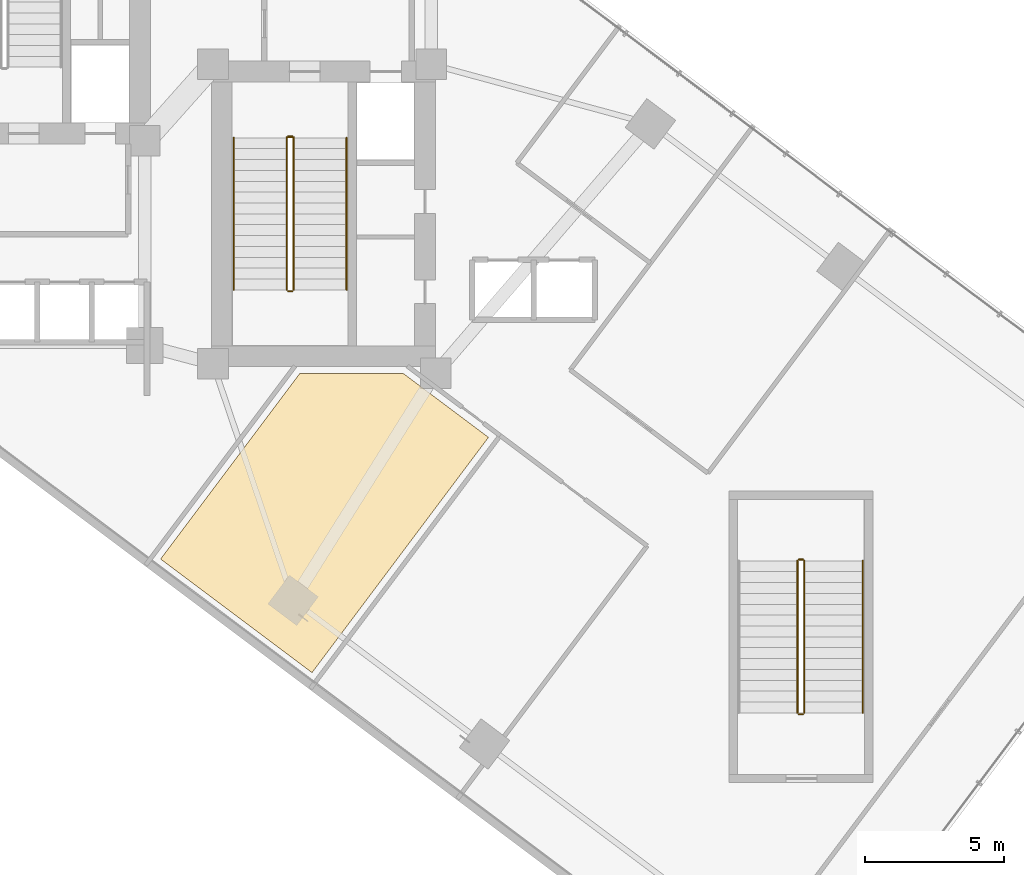
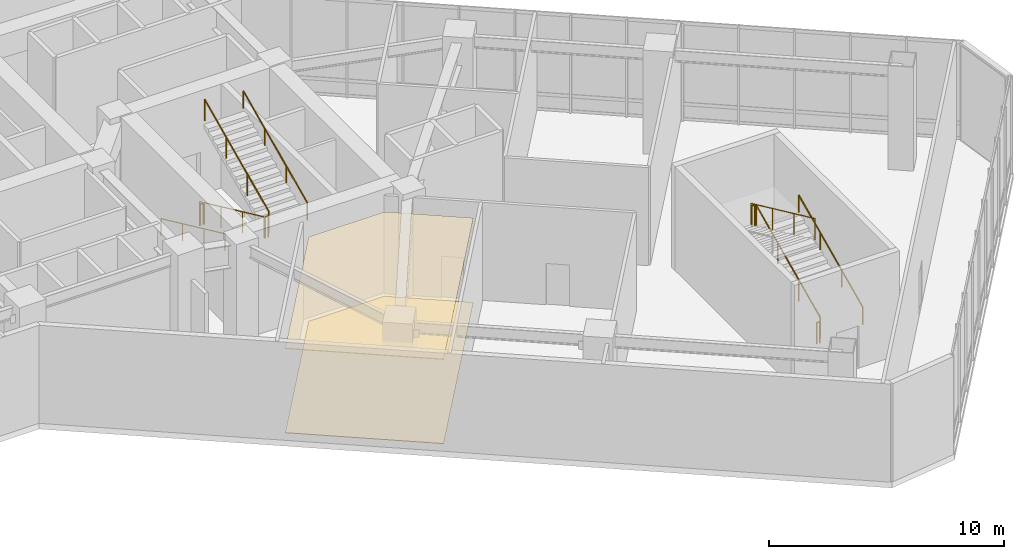
# One storey, part 33 of 35: 12 railings, 2 coverings.
"""IFC4 building model written with IfcOpenShell, lengths in metres."""

from ifc_helpers import new_model, si_unit, direction, frame, origin, origin_2d, place, context, subcontext, project, spatial, polyline, circle, outline, extrude, material, layer, layer_set, type_object, element, save


model = new_model("IFC4")

# Units and contexts
model_context = context("Model", 3, precision=1e-05, world=origin(), true_north=direction((0.0, 1.0)))
body_context = subcontext(model_context, "Body", "Model", "MODEL_VIEW")
ifc_project = project(units=[si_unit("LENGTHUNIT", "METRE"), si_unit("AREAUNIT", "SQUARE_METRE"), si_unit("VOLUMEUNIT", "CUBIC_METRE"), si_unit("PLANEANGLEUNIT", "RADIAN"), si_unit("MASSUNIT", "GRAM", prefix="KILO")], contexts=[model_context])

# Site, building, storey
site_placement = place(None, origin())
site = spatial("IfcSite", under=ifc_project, at=site_placement, CompositionType="ELEMENT")
building_placement = place(site_placement, origin())
building = spatial("IfcBuilding", under=site, at=building_placement, Name="Hatsunagi Terrace Concourse", CompositionType="ELEMENT")
storey_placement = place(building_placement, frame((0.0, 0.0, 16.199951171875)))
storey = spatial("IfcBuildingStorey", under=building, at=storey_placement, Name="L04", CompositionType="ELEMENT", Elevation=16.199951171875)

# Covering
ifc_material_1 = material(Name="Granite stone paving", Category="masonry")
ifc_layer_1 = layer(ifc_material_1, 0.02490234375)
ifc_layer_set_1 = layer_set([ifc_layer_1], Name="GraniteStoneFlooring_25")
covering_type_1 = type_object("IfcCoveringType", Name="GraniteStoneFlooring_25", PredefinedType="FLOORING", material=ifc_layer_set_1)
covering_1_placement = place(storey_placement, origin())
element("IfcCovering", 1, at=covering_1_placement, inside=storey, type_object=covering_type_1, Name="Finished Flooring L04-1", PredefinedType="FLOORING", context=body_context, shape_type="SweptSolid", body=[
    extrude(outline(polyline([(33.91796875, 17.52392578125), (39.35791015625, 13.444091796875), (45.699951171875, 21.89990234375), (42.64697265625, 24.18994140625), (38.91796875, 24.18994140625), (33.91796875, 17.52392578125)])), origin(), (0.0, 0.0, 1.0), 0.025146484375),
])

# Railings
ifc_material_2 = material(Name="Stainless steel", Category="steel")
ifc_layer_2 = layer(ifc_material_2, 0.050048828125)
ifc_layer_set_2 = layer_set([ifc_layer_2], Name="StairPitchHandrail_Podium2200")
railing_type_1 = type_object("IfcRailingType", Name="StairPitchHandrail_Podium2200", PredefinedType="HANDRAIL", material=ifc_layer_set_2)
railing_1_placement = place(storey_placement, frame((59.14990234375, 12.0, 0.179931640625)))
element("IfcRailing", 2, at=railing_1_placement, inside=storey, type_object=railing_type_1, Name="L04 ST-P2 stair handrail 1", PredefinedType="HANDRAIL", context=body_context, shape_type="SweptSolid", body=[
    extrude(circle(Radius=0.02392578125, at=origin_2d()), frame((0.0, 0.0, 0.8759765625), z_axis=(0.0, 0.907957007956, 0.419063326602), x_axis=(-1.0, 0.0, 0.0)), (0.0, 0.0, 1.0), 6.013427734375),
    extrude(circle(Radius=0.02099609375, at=origin_2d()), origin(), (0.0, 0.0, 1.0), 0.851806640625),
    extrude(circle(Radius=0.02099609375, at=origin_2d()), frame((0.0, 1.820068359375, 0.840087890625)), (0.0, 0.0, 1.0), 0.851806640625),
    extrude(circle(Radius=0.02099609375, at=origin_2d()), frame((0.0, 3.639892578125, 1.679931640625)), (0.0, 0.0, 1.0), 0.851806640625),
    extrude(circle(Radius=0.02099609375, at=origin_2d()), frame((0.0, 5.4599609375, 2.52001953125)), (0.0, 0.0, 1.0), 0.851806640625),
])
ifc_material_3 = material(Name="Stainless steel", Category="steel")
ifc_layer_3 = layer(ifc_material_3, 0.044921875)
ifc_layer_set_3 = layer_set([ifc_layer_3], Name="StairPitchHandrail_Tower2000")
railing_type_2 = type_object("IfcRailingType", Name="StairPitchHandrail_Tower2000", PredefinedType="HANDRAIL", material=ifc_layer_set_3)
railing_2_placement = place(storey_placement, frame((36.550048828125, 32.659912109375, 0.179931640625)))
element("IfcRailing", 3, at=railing_2_placement, inside=storey, type_object=railing_type_2, Name="L04 ST-B stair handrail 1", PredefinedType="HANDRAIL", context=body_context, shape_type="SweptSolid", body=[
    extrude(circle(Radius=0.02392578125, at=origin_2d()), frame((0.0, 0.0, 0.8759765625), z_axis=(0.0, -0.907957007956, 0.419063326602), x_axis=(1.0, 0.0, 0.0)), (0.0, 0.0, 1.0), 6.013427734375),
    extrude(circle(Radius=0.02099609375, at=origin_2d()), origin(), (0.0, 0.0, 1.0), 0.851806640625),
    extrude(circle(Radius=0.02099609375, at=origin_2d()), frame((0.0, -1.820068359375, 0.840087890625)), (0.0, 0.0, 1.0), 0.851806640625),
    extrude(circle(Radius=0.02099609375, at=origin_2d()), frame((0.0, -3.639892578125, 1.679931640625)), (0.0, 0.0, 1.0), 0.851806640625),
    extrude(circle(Radius=0.02099609375, at=origin_2d()), frame((0.0, -5.4599609375, 2.52001953125)), (0.0, 0.0, 1.0), 0.851806640625),
])
railing_3_placement = place(storey_placement, frame((40.60009765625, 27.199951171875, 2.880126953125)))
element("IfcRailing", 4, at=railing_3_placement, inside=storey, type_object=railing_type_2, Name="L04 ST-B stair handrail 2", PredefinedType="HANDRAIL", context=body_context, shape_type="SweptSolid", body=[
    extrude(circle(Radius=0.02392578125, at=origin_2d()), frame((0.0, 0.0, 0.8759765625), z_axis=(0.0, 0.907957007956, 0.419063326602), x_axis=(-1.0, 0.0, 0.0)), (0.0, 0.0, 1.0), 6.013427734375),
    extrude(circle(Radius=0.02099609375, at=origin_2d()), origin(), (0.0, 0.0, 1.0), 0.851806640625),
    extrude(circle(Radius=0.02099609375, at=origin_2d()), frame((0.0, 1.820068359375, 0.840087890625)), (0.0, 0.0, 1.0), 0.851806640625),
    extrude(circle(Radius=0.02099609375, at=origin_2d()), frame((0.0, 3.639892578125, 1.679931640625)), (0.0, 0.0, 1.0), 0.851806640625),
    extrude(circle(Radius=0.02099609375, at=origin_2d()), frame((0.0, 5.4599609375, 2.52001953125)), (0.0, 0.0, 1.0), 0.851806640625),
])
ifc_material_4 = material(Name="Stainless steel", Category="steel")
ifc_layer_4 = layer(ifc_material_4, 0.06494140625)
ifc_layer_set_4 = layer_set([ifc_layer_4], Name="StairWellGuard_Podium2200")
railing_type_3 = type_object("IfcRailingType", Name="StairWellGuard_Podium2200", PredefinedType="BALUSTRADE", material=ifc_layer_set_4)
railing_4_placement = place(storey_placement, frame((57.050048828125, 12.0, 0.179931640625)))
element("IfcRailing", 5, at=railing_4_placement, inside=storey, type_object=railing_type_3, Name="L04 ST-P2 stair guard 1", PredefinedType="BALUSTRADE", context=body_context, shape_type="SweptSolid", body=[
    extrude(circle(Radius=0.02392578125, at=origin_2d()), frame((0.0, 0.0, 1.09619140625), z_axis=(0.0, 0.907957007956, 0.419063326602), x_axis=(-1.0, 0.0, 0.0)), (0.0, 0.0, 1.0), 6.013427734375),
    extrude(circle(Radius=0.02099609375, at=origin_2d()), origin(), (0.0, 0.0, 1.0), 1.072021484375),
    extrude(circle(Radius=0.02099609375, at=origin_2d()), frame((0.0, 1.820068359375, 0.840087890625)), (0.0, 0.0, 1.0), 1.072021484375),
    extrude(circle(Radius=0.02099609375, at=origin_2d()), frame((0.0, 3.639892578125, 1.679931640625)), (0.0, 0.0, 1.0), 1.072021484375),
    extrude(circle(Radius=0.02099609375, at=origin_2d()), frame((0.0, 5.4599609375, 2.52001953125)), (0.0, 0.0, 1.0), 1.072021484375),
])
railing_5_placement = place(storey_placement, frame((57.0, 17.510009765625, 2.699951171875)))
element("IfcRailing", 6, at=railing_5_placement, inside=storey, type_object=railing_type_3, Name="L04 ST-P2 stair guard 2", PredefinedType="BALUSTRADE", context=body_context, shape_type="SweptSolid", body=[
    extrude(circle(Radius=0.02392578125, at=origin_2d()), frame((0.0, 0.0, 1.09619140625), z_axis=(-1.0, 0.0, 0.0), x_axis=(0.0, -1.0, 0.0)), (0.0, 0.0, 1.0), 0.14990234375),
    extrude(circle(Radius=0.02099609375, at=origin_2d()), origin(), (0.0, 0.0, 1.0), 1.072021484375),
    extrude(circle(Radius=0.02099609375, at=origin_2d()), frame((-0.14990234375, 0.0, 0.0)), (0.0, 0.0, 1.0), 1.072021484375),
])
railing_6_placement = place(storey_placement, frame((56.800048828125, 17.4599609375, 2.880126953125)))
element("IfcRailing", 7, at=railing_6_placement, inside=storey, type_object=railing_type_3, Name="L04 ST-P2 stair guard 3", PredefinedType="BALUSTRADE", context=body_context, shape_type="SweptSolid", body=[
    extrude(circle(Radius=0.02392578125, at=origin_2d()), frame((0.0, 0.0, 1.09619140625), z_axis=(0.0, -0.907957007956, 0.419063326602), x_axis=(1.0, 0.0, 0.0)), (0.0, 0.0, 1.0), 6.013427734375),
    extrude(circle(Radius=0.02099609375, at=origin_2d()), origin(), (0.0, 0.0, 1.0), 1.072021484375),
    extrude(circle(Radius=0.02099609375, at=origin_2d()), frame((0.0, -1.820068359375, 0.840087890625)), (0.0, 0.0, 1.0), 1.072021484375),
    extrude(circle(Radius=0.02099609375, at=origin_2d()), frame((0.0, -3.639892578125, 1.679931640625)), (0.0, 0.0, 1.0), 1.072021484375),
    extrude(circle(Radius=0.02099609375, at=origin_2d()), frame((0.0, -5.4599609375, 2.52001953125)), (0.0, 0.0, 1.0), 1.072021484375),
])
railing_7_placement = place(storey_placement, frame((57.0, 11.949951171875, 0.0)))
element("IfcRailing", 8, at=railing_7_placement, inside=storey, type_object=railing_type_3, Name="L04 ST-P2 stair guard 4", PredefinedType="BALUSTRADE", context=body_context, shape_type="SweptSolid", body=[
    extrude(circle(Radius=0.02392578125, at=origin_2d()), frame((0.0, 0.0, 1.09619140625), z_axis=(-1.0, 0.0, 0.0), x_axis=(0.0, -1.0, 0.0)), (0.0, 0.0, 1.0), 0.14990234375),
    extrude(circle(Radius=0.02099609375, at=origin_2d()), origin(), (0.0, 0.0, 1.0), 1.072021484375),
    extrude(circle(Radius=0.02099609375, at=origin_2d()), frame((-0.14990234375, 0.0, 0.0)), (0.0, 0.0, 1.0), 1.072021484375),
])
ifc_material_5 = material(Name="Stainless steel", Category="steel")
ifc_layer_5 = layer(ifc_material_5, 0.06005859375)
ifc_layer_set_5 = layer_set([ifc_layer_5], Name="StairWellGuard_Tower2000")
railing_type_4 = type_object("IfcRailingType", Name="StairWellGuard_Tower2000", PredefinedType="BALUSTRADE", material=ifc_layer_set_5)
railing_8_placement = place(storey_placement, frame((38.449951171875, 32.659912109375, 0.179931640625)))
element("IfcRailing", 9, at=railing_8_placement, inside=storey, type_object=railing_type_4, Name="L04 ST-B stair guard 1", PredefinedType="BALUSTRADE", context=body_context, shape_type="SweptSolid", body=[
    extrude(circle(Radius=0.02392578125, at=origin_2d()), frame((0.0, 0.0, 1.09619140625), z_axis=(0.0, -0.907957007956, 0.419063326602), x_axis=(1.0, 0.0, 0.0)), (0.0, 0.0, 1.0), 6.013427734375),
    extrude(circle(Radius=0.02099609375, at=origin_2d()), origin(), (0.0, 0.0, 1.0), 1.072021484375),
    extrude(circle(Radius=0.02099609375, at=origin_2d()), frame((0.0, -1.820068359375, 0.840087890625)), (0.0, 0.0, 1.0), 1.072021484375),
    extrude(circle(Radius=0.02099609375, at=origin_2d()), frame((0.0, -3.639892578125, 1.679931640625)), (0.0, 0.0, 1.0), 1.072021484375),
    extrude(circle(Radius=0.02099609375, at=origin_2d()), frame((0.0, -5.4599609375, 2.52001953125)), (0.0, 0.0, 1.0), 1.072021484375),
])
railing_9_placement = place(storey_placement, frame((38.5, 27.14990234375, 2.699951171875)))
element("IfcRailing", 10, at=railing_9_placement, inside=storey, type_object=railing_type_4, Name="L04 ST-B stair guard 2", PredefinedType="BALUSTRADE", context=body_context, shape_type="SweptSolid", body=[
    extrude(circle(Radius=0.02392578125, at=origin_2d()), frame((0.0, 0.0, 1.09619140625), z_axis=(1.0, 0.0, 0.0), x_axis=(0.0, 1.0, 0.0)), (0.0, 0.0, 1.0), 0.14990234375),
    extrude(circle(Radius=0.02099609375, at=origin_2d()), origin(), (0.0, 0.0, 1.0), 1.072021484375),
    extrude(circle(Radius=0.02099609375, at=origin_2d()), frame((0.14990234375, 0.0, 0.0)), (0.0, 0.0, 1.0), 1.072021484375),
])
railing_10_placement = place(storey_placement, frame((38.699951171875, 27.199951171875, 2.880126953125)))
element("IfcRailing", 11, at=railing_10_placement, inside=storey, type_object=railing_type_4, Name="L04 ST-B stair guard 3", PredefinedType="BALUSTRADE", context=body_context, shape_type="SweptSolid", body=[
    extrude(circle(Radius=0.02392578125, at=origin_2d()), frame((0.0, 0.0, 1.09619140625), z_axis=(0.0, 0.907957007956, 0.419063326602), x_axis=(-1.0, 0.0, 0.0)), (0.0, 0.0, 1.0), 6.013427734375),
    extrude(circle(Radius=0.02099609375, at=origin_2d()), origin(), (0.0, 0.0, 1.0), 1.072021484375),
    extrude(circle(Radius=0.02099609375, at=origin_2d()), frame((0.0, 1.820068359375, 0.840087890625)), (0.0, 0.0, 1.0), 1.072021484375),
    extrude(circle(Radius=0.02099609375, at=origin_2d()), frame((0.0, 3.639892578125, 1.679931640625)), (0.0, 0.0, 1.0), 1.072021484375),
    extrude(circle(Radius=0.02099609375, at=origin_2d()), frame((0.0, 5.4599609375, 2.52001953125)), (0.0, 0.0, 1.0), 1.072021484375),
])
railing_11_placement = place(storey_placement, frame((38.5, 32.7099609375, 0.0)))
element("IfcRailing", 12, at=railing_11_placement, inside=storey, type_object=railing_type_4, Name="L04 ST-B stair guard 4", PredefinedType="BALUSTRADE", context=body_context, shape_type="SweptSolid", body=[
    extrude(circle(Radius=0.02392578125, at=origin_2d()), frame((0.0, 0.0, 1.09619140625), z_axis=(1.0, 0.0, 0.0), x_axis=(0.0, 1.0, 0.0)), (0.0, 0.0, 1.0), 0.14990234375),
    extrude(circle(Radius=0.02099609375, at=origin_2d()), origin(), (0.0, 0.0, 1.0), 1.072021484375),
    extrude(circle(Radius=0.02099609375, at=origin_2d()), frame((0.14990234375, 0.0, 0.0)), (0.0, 0.0, 1.0), 1.072021484375),
])
ifc_material_6 = material(Name="Stainless Steel SUS316 Post-and-Rail Guard", Category="steel")
ifc_layer_6 = layer(ifc_material_6, 0.080078125)
ifc_layer_set_6 = layer_set([ifc_layer_6], Name="TerracePlantedGuardRail_1200")
railing_type_5 = type_object("IfcRailingType", Name="TerracePlantedGuardRail_1200", PredefinedType="GUARDRAIL", material=ifc_layer_set_6)
railing_12_placement = place(storey_placement, frame((38.449951171875, 32.679931640625, 0.0)))
element("IfcRailing", 13, at=railing_12_placement, inside=storey, type_object=railing_type_5, Name="Stair ST-B Well Closure Guard L04", PredefinedType="GUARDRAIL", context=body_context, shape_type="SweptSolid", body=[
    extrude(circle(Radius=0.02392578125, at=origin_2d()), frame((0.0, 0.0, 1.09619140625), z_axis=(1.0, 0.0, 0.0), x_axis=(0.0, 1.0, 0.0)), (0.0, 0.0, 1.0), 0.25),
    extrude(circle(Radius=0.02099609375, at=origin_2d()), origin(), (0.0, 0.0, 1.0), 1.072021484375),
    extrude(circle(Radius=0.02099609375, at=origin_2d()), frame((0.25, 0.0, 0.0)), (0.0, 0.0, 1.0), 1.072021484375),
])

# Covering
ifc_material_7 = material(Name="Hardwood timber", Category="wood")
ifc_layer_7 = layer(ifc_material_7, 0.034912109375)
ifc_layer_set_7 = layer_set([ifc_layer_7], Name="TimberBaffleCeiling_35")
covering_type_2 = type_object("IfcCoveringType", Name="TimberBaffleCeiling_35", PredefinedType="CEILING", material=ifc_layer_set_7)
covering_2_placement = place(storey_placement, frame((0.0, 0.0, 4.380126953125)))
element("IfcCovering", 14, at=covering_2_placement, inside=storey, type_object=covering_type_2, Name="Suspended Ceiling L04-1", PredefinedType="CEILING", context=body_context, shape_type="SweptSolid", body=[
    extrude(outline(polyline([(33.91796875, 17.52392578125), (39.35791015625, 13.444091796875), (45.699951171875, 21.89990234375), (42.64697265625, 24.18994140625), (38.91796875, 24.18994140625), (33.91796875, 17.52392578125)])), origin(), (0.0, 0.0, 1.0), 0.034912109375),
])

save(model, "model.ifc")
